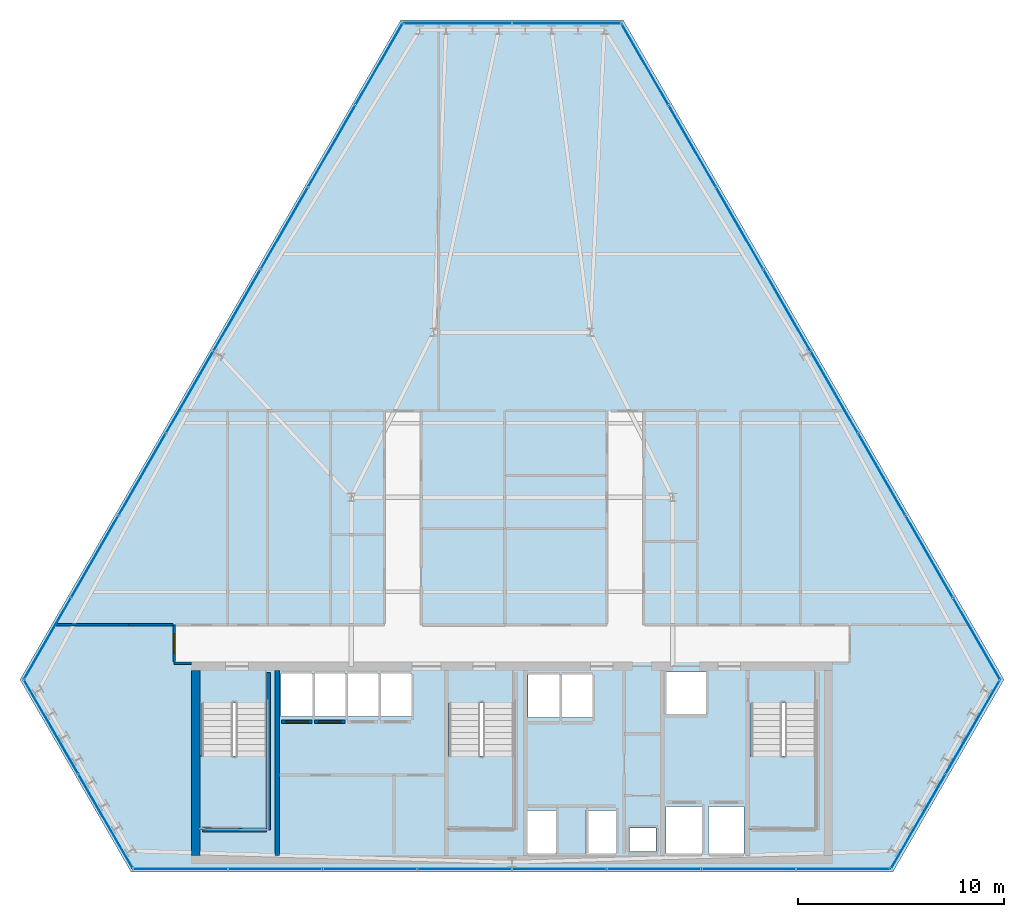
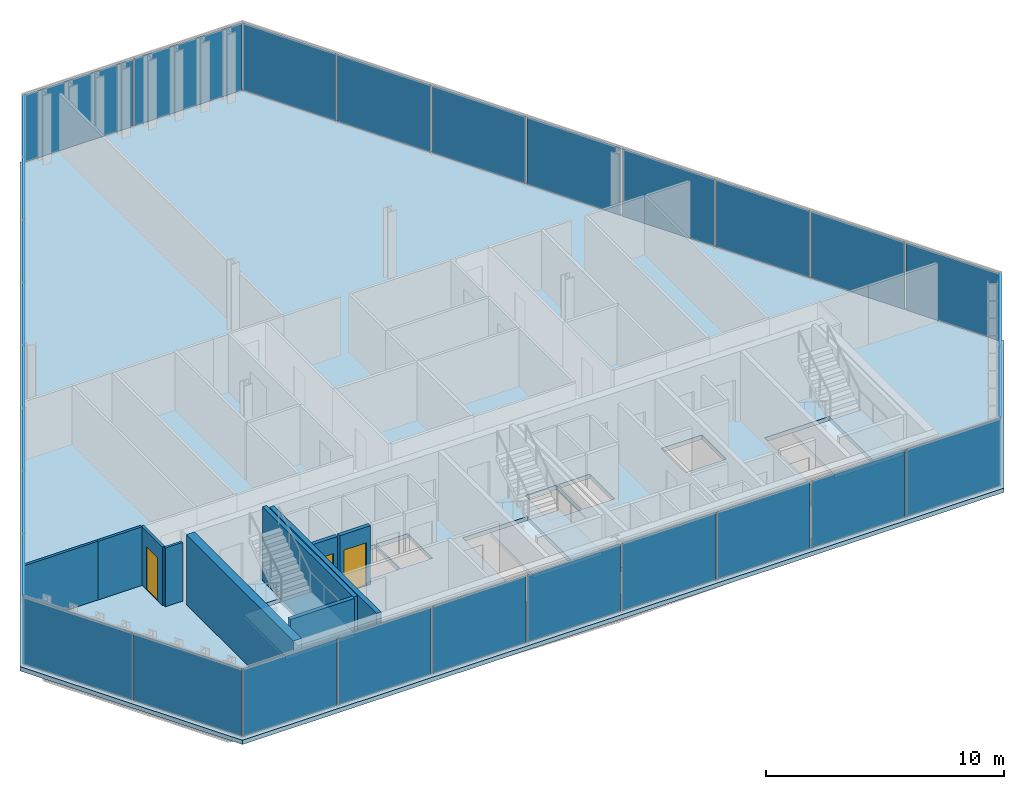
# One storey, part 26 of 33: 30 plates, 10 walls, 4 slabs, 3 doors, 3 openings, 9 elements without a shape of their own.
"""IFC4 building model written with IfcOpenShell, lengths in metres."""

from ifc_helpers import new_model, si_unit, direction, frame, frame_2d, origin, origin_2d, place, context, subcontext, project, spatial, polyline, rectangle, outline, extrude, material, layer, layer_set, type_object, element, fill, aggregate, save


model = new_model("IFC4")

# Units and contexts
model_context = context("Model", 3, precision=1e-05, world=origin(), true_north=direction((0.0, 1.0)))
body_context = subcontext(model_context, "Body", "Model", "MODEL_VIEW")
ifc_project = project(units=[si_unit("LENGTHUNIT", "METRE"), si_unit("AREAUNIT", "SQUARE_METRE"), si_unit("VOLUMEUNIT", "CUBIC_METRE"), si_unit("PLANEANGLEUNIT", "RADIAN"), si_unit("MASSUNIT", "GRAM", prefix="KILO")], contexts=[model_context])

# Site, building, storey
site_placement = place(None, origin())
site = spatial("IfcSite", under=ifc_project, at=site_placement, CompositionType="ELEMENT")
building_placement = place(site_placement, origin())
building = spatial("IfcBuilding", under=site, at=building_placement, Name="Ndaravel Arena Tower", CompositionType="ELEMENT")
storey_placement = place(building_placement, frame((0.0, 0.0, 165.0)))
storey = spatial("IfcBuildingStorey", under=building, at=storey_placement, Name="L39", CompositionType="ELEMENT", Elevation=165.0)

# Curtain wall, plate
ifc_material_1 = material(Name="Aluminium", Category="aluminium")
ifc_layer_1 = layer(ifc_material_1, 0.179931640625)
ifc_layer_set_1 = layer_set([ifc_layer_1], Name="Aluminium")
curtain_wall_type_1 = type_object("IfcCurtainWallType", Name="CW-SYS-01", PredefinedType="NOTDEFINED", material=ifc_layer_set_1)
curtain_wall_1_placement = place(storey_placement, origin())
curtain_wall_1 = element("IfcCurtainWall", 1, at=curtain_wall_1_placement, inside=storey, type_object=curtain_wall_type_1, Name="L39 Faceted Crystal Curtain Wall CW-L39-E02", PredefinedType="NOTDEFINED")
ifc_material_2 = material(Name="Glazing", Category="glass")
ifc_layer_2 = layer(ifc_material_2, 0.035888671875)
ifc_layer_set_2 = layer_set([ifc_layer_2], Name="Glazing")
plate_type_1 = type_object("IfcPlateType", Name="PLT-CW-OPVENT", PredefinedType="CURTAIN_PANEL", material=ifc_layer_set_2)
plate_1_placement = place(storey_placement, frame((64.369140625, 12.05126953125, 0.06005859375), z_axis=(0.0, 0.0, 1.0), x_axis=(0.5, 0.866025403784, 0.0)))
plate_1 = element("IfcPlate", 2, at=plate_1_placement, type_object=plate_type_1, Name="CW-L39-E02 Operable Vent Sash Panel 02", PredefinedType="CURTAIN_PANEL", context=body_context, shape_type="SweptSolid", body=[
    extrude(rectangle(XDim=5.224853515625, YDim=0.035888671875, at=origin_2d()), origin(), (0.0, 0.0, 1.0), 3.4599609375),
])

curtain_wall_2_placement = place(storey_placement, origin())
curtain_wall_2 = element("IfcCurtainWall", 3, at=curtain_wall_2_placement, inside=storey, type_object=curtain_wall_type_1, Name="L39 Faceted Crystal Curtain Wall CW-L39-E04", PredefinedType="NOTDEFINED")
plate_2_placement = place(storey_placement, frame((39.347412109375, 46.20166015625, 0.06005859375), z_axis=(0.0, 0.0, 1.0), x_axis=(-1.0, 0.0, 0.0)))
plate_2 = element("IfcPlate", 4, at=plate_2_placement, type_object=plate_type_1, Name="CW-L39-E04 Operable Vent Sash Panel 02", PredefinedType="CURTAIN_PANEL", context=body_context, shape_type="SweptSolid", body=[
    extrude(rectangle(XDim=5.224853515625, YDim=0.035888671875, at=origin_2d()), origin(), (0.0, 0.0, 1.0), 3.4599609375),
])

ifc_material_3 = material(Name="Aluminium", Category="aluminium")
ifc_layer_3 = layer(ifc_material_3, 0.179931640625)
ifc_layer_set_3 = layer_set([ifc_layer_3], Name="Aluminium")
curtain_wall_type_2 = type_object("IfcCurtainWallType", Name="CW-SYS-02", PredefinedType="NOTDEFINED", material=ifc_layer_set_3)
curtain_wall_3_placement = place(storey_placement, origin())
curtain_wall_3 = element("IfcCurtainWall", 5, at=curtain_wall_3_placement, inside=storey, type_object=curtain_wall_type_2, Name="L39 Faceted Crystal Curtain Wall CW-L39-E06", PredefinedType="NOTDEFINED")
plate_3_placement = place(storey_placement, frame((22.283203125, 7.45703125, 0.06005859375), z_axis=(0.0, 0.0, 1.0), x_axis=(0.5, -0.866025403784, 0.0)))
plate_3 = element("IfcPlate", 6, at=plate_3_placement, type_object=plate_type_1, Name="CW-L39-E06 Operable Vent Sash Panel 02", PredefinedType="CURTAIN_PANEL", context=body_context, shape_type="SweptSolid", body=[
    extrude(rectangle(XDim=5.224853515625, YDim=0.035888671875, at=origin_2d()), origin(), (0.0, 0.0, 1.0), 3.4599609375),
])

# Plate
ifc_material_4 = material(Name="Glazing", Category="glass")
ifc_layer_4 = layer(ifc_material_4, 0.031982421875)
ifc_layer_set_4 = layer_set([ifc_layer_4], Name="Glazing")
plate_type_2 = type_object("IfcPlateType", Name="PLT-GLZ-FRIT35", PredefinedType="CURTAIN_PANEL", material=ifc_layer_set_4)
plate_4_placement = place(storey_placement, frame((61.716796875, 7.45703125, 0.06005859375), z_axis=(0.0, 0.0, 1.0), x_axis=(0.5, 0.866025403784, 0.0)))
plate_4 = element("IfcPlate", 7, at=plate_4_placement, type_object=plate_type_2, Name="CW-L39-E02 Vision Glass Panel 01", PredefinedType="CURTAIN_PANEL", context=body_context, shape_type="SweptSolid", body=[
    extrude(rectangle(XDim=5.224853515625, YDim=0.035888671875, at=origin_2d()), origin(), (0.0, 0.0, 1.0), 3.4599609375),
])

aggregate(curtain_wall_1, [plate_4, plate_1])

plate_5_placement = place(storey_placement, frame((44.652587890625, 46.20166015625, 0.06005859375), z_axis=(0.0, 0.0, 1.0), x_axis=(-1.0, 0.0, 0.0)))
plate_5 = element("IfcPlate", 8, at=plate_5_placement, type_object=plate_type_2, Name="CW-L39-E04 Vision Glass Panel 01", PredefinedType="CURTAIN_PANEL", context=body_context, shape_type="SweptSolid", body=[
    extrude(rectangle(XDim=5.224853515625, YDim=0.035888671875, at=origin_2d()), origin(), (0.0, 0.0, 1.0), 3.4599609375),
])

aggregate(curtain_wall_2, [plate_5, plate_2])

ifc_material_5 = material(Name="Glazing", Category="glass")
ifc_layer_5 = layer(ifc_material_5, 0.035888671875)
ifc_layer_set_5 = layer_set([ifc_layer_5], Name="Glazing")
plate_type_3 = type_object("IfcPlateType", Name="PLT-GLZ-FRIT55", PredefinedType="CURTAIN_PANEL", material=ifc_layer_set_5)
plate_6_placement = place(storey_placement, frame((19.630859375, 12.05126953125, 0.06005859375), z_axis=(0.0, 0.0, 1.0), x_axis=(0.5, -0.866025403784, 0.0)))
plate_6 = element("IfcPlate", 9, at=plate_6_placement, type_object=plate_type_3, Name="CW-L39-E06 Vision Glass Panel 01", PredefinedType="CURTAIN_PANEL", context=body_context, shape_type="SweptSolid", body=[
    extrude(rectangle(XDim=5.224853515625, YDim=0.035888671875, at=origin_2d()), origin(), (0.0, 0.0, 1.0), 3.4599609375),
])

aggregate(curtain_wall_3, [plate_6, plate_3])

# Curtain wall, plates
ifc_material_6 = material(Name="Aluminium", Category="aluminium")
ifc_layer_6 = layer(ifc_material_6, 0.179931640625)
ifc_layer_set_6 = layer_set([ifc_layer_6], Name="Aluminium")
curtain_wall_type_3 = type_object("IfcCurtainWallType", Name="CW-SYS-03", PredefinedType="NOTDEFINED", material=ifc_layer_set_6)
curtain_wall_4_placement = place(storey_placement, origin())
curtain_wall_4 = element("IfcCurtainWall", 10, at=curtain_wall_4_placement, inside=storey, type_object=curtain_wall_type_3, Name="L39 Faceted Crystal Curtain Wall CW-L39-E01", PredefinedType="NOTDEFINED")
ifc_material_7 = material(Name="Glazing", Category="glass")
ifc_layer_7 = layer(ifc_material_7, 0.0400390625)
ifc_layer_set_7 = layer_set([ifc_layer_7], Name="Glazing")
plate_type_4 = type_object("IfcPlateType", Name="PLT-GLZ-LOWIRON", PredefinedType="CURTAIN_PANEL", material=ifc_layer_set_7)
plate_7_placement = place(storey_placement, frame((25.908203125, 5.159912109375, 0.06005859375), z_axis=(0.0, 0.0, 1.0), x_axis=(1.0, 0.0, 0.0)))
plate_7 = element("IfcPlate", 11, at=plate_7_placement, type_object=plate_type_4, Name="CW-L39-E01 Vision Glass Panel 01", PredefinedType="CURTAIN_PANEL", context=body_context, shape_type="SweptSolid", body=[
    extrude(rectangle(XDim=4.517578125, YDim=0.035888671875, at=origin_2d()), origin(), (0.0, 0.0, 1.0), 3.4599609375),
])
plate_8_placement = place(storey_placement, frame((30.505859375, 5.159912109375, 0.06005859375), z_axis=(0.0, 0.0, 1.0), x_axis=(1.0, 0.0, 0.0)))
plate_8 = element("IfcPlate", 12, at=plate_8_placement, type_object=plate_type_4, Name="CW-L39-E01 Vision Glass Panel 02", PredefinedType="CURTAIN_PANEL", context=body_context, shape_type="SweptSolid", body=[
    extrude(rectangle(XDim=4.517578125, YDim=0.035888671875, at=origin_2d()), origin(), (0.0, 0.0, 1.0), 3.4599609375),
])
plate_9_placement = place(storey_placement, frame((35.103515625, 5.159912109375, 0.06005859375), z_axis=(0.0, 0.0, 1.0), x_axis=(1.0, 0.0, 0.0)))
plate_9 = element("IfcPlate", 13, at=plate_9_placement, type_object=plate_type_4, Name="CW-L39-E01 Vision Glass Panel 03", PredefinedType="CURTAIN_PANEL", context=body_context, shape_type="SweptSolid", body=[
    extrude(rectangle(XDim=4.517578125, YDim=0.035888671875, at=origin_2d()), origin(), (0.0, 0.0, 1.0), 3.4599609375),
])
plate_10_placement = place(storey_placement, frame((39.701171875, 5.159912109375, 0.06005859375), z_axis=(0.0, 0.0, 1.0), x_axis=(1.0, 0.0, 0.0)))
plate_10 = element("IfcPlate", 14, at=plate_10_placement, type_object=plate_type_4, Name="CW-L39-E01 Vision Glass Panel 04", PredefinedType="CURTAIN_PANEL", context=body_context, shape_type="SweptSolid", body=[
    extrude(rectangle(XDim=4.517578125, YDim=0.035888671875, at=origin_2d()), origin(), (0.0, 0.0, 1.0), 3.4599609375),
])
plate_11_placement = place(storey_placement, frame((44.298828125, 5.159912109375, 0.06005859375), z_axis=(0.0, 0.0, 1.0), x_axis=(1.0, 0.0, 0.0)))
plate_11 = element("IfcPlate", 15, at=plate_11_placement, type_object=plate_type_4, Name="CW-L39-E01 Vision Glass Panel 05", PredefinedType="CURTAIN_PANEL", context=body_context, shape_type="SweptSolid", body=[
    extrude(rectangle(XDim=4.517578125, YDim=0.035888671875, at=origin_2d()), origin(), (0.0, 0.0, 1.0), 3.4599609375),
])
plate_12_placement = place(storey_placement, frame((48.896484375, 5.159912109375, 0.06005859375), z_axis=(0.0, 0.0, 1.0), x_axis=(1.0, 0.0, 0.0)))
plate_12 = element("IfcPlate", 16, at=plate_12_placement, type_object=plate_type_4, Name="CW-L39-E01 Vision Glass Panel 06", PredefinedType="CURTAIN_PANEL", context=body_context, shape_type="SweptSolid", body=[
    extrude(rectangle(XDim=4.517578125, YDim=0.035888671875, at=origin_2d()), origin(), (0.0, 0.0, 1.0), 3.4599609375),
])
plate_13_placement = place(storey_placement, frame((53.494140625, 5.159912109375, 0.06005859375), z_axis=(0.0, 0.0, 1.0), x_axis=(1.0, 0.0, 0.0)))
plate_13 = element("IfcPlate", 17, at=plate_13_placement, type_object=plate_type_4, Name="CW-L39-E01 Vision Glass Panel 07", PredefinedType="CURTAIN_PANEL", context=body_context, shape_type="SweptSolid", body=[
    extrude(rectangle(XDim=4.517578125, YDim=0.035888671875, at=origin_2d()), origin(), (0.0, 0.0, 1.0), 3.4599609375),
])
plate_14_placement = place(storey_placement, frame((58.091796875, 5.159912109375, 0.06005859375), z_axis=(0.0, 0.0, 1.0), x_axis=(1.0, 0.0, 0.0)))
plate_14 = element("IfcPlate", 18, at=plate_14_placement, type_object=plate_type_4, Name="CW-L39-E01 Vision Glass Panel 08", PredefinedType="CURTAIN_PANEL", context=body_context, shape_type="SweptSolid", body=[
    extrude(rectangle(XDim=4.517578125, YDim=0.035888671875, at=origin_2d()), origin(), (0.0, 0.0, 1.0), 3.4599609375),
])
aggregate(curtain_wall_4, [plate_7, plate_8, plate_9, plate_10, plate_11, plate_12, plate_13, plate_14])

curtain_wall_5_placement = place(storey_placement, origin())
curtain_wall_5 = element("IfcCurtainWall", 19, at=curtain_wall_5_placement, inside=storey, type_object=curtain_wall_type_3, Name="L39 Faceted Crystal Curtain Wall CW-L39-E03", PredefinedType="NOTDEFINED")
plate_15_placement = place(storey_placement, frame((64.5458984375, 16.339111328125, 0.06005859375), z_axis=(0.0, 0.0, 1.0), x_axis=(-0.5, 0.866025403784, 0.0)))
plate_15 = element("IfcPlate", 20, at=plate_15_placement, type_object=plate_type_4, Name="CW-L39-E03 Vision Glass Panel 01", PredefinedType="CURTAIN_PANEL", context=body_context, shape_type="SweptSolid", body=[
    extrude(rectangle(XDim=4.517578125, YDim=0.035888671875, at=origin_2d()), origin(), (0.0, 0.0, 1.0), 3.4599609375),
])
plate_16_placement = place(storey_placement, frame((62.247314453125, 20.32080078125, 0.06005859375), z_axis=(0.0, 0.0, 1.0), x_axis=(-0.5, 0.866025403784, 0.0)))
plate_16 = element("IfcPlate", 21, at=plate_16_placement, type_object=plate_type_4, Name="CW-L39-E03 Vision Glass Panel 02", PredefinedType="CURTAIN_PANEL", context=body_context, shape_type="SweptSolid", body=[
    extrude(rectangle(XDim=4.517578125, YDim=0.035888671875, at=origin_2d()), origin(), (0.0, 0.0, 1.0), 3.4599609375),
])
plate_17_placement = place(storey_placement, frame((59.948486328125, 24.302490234375, 0.06005859375), z_axis=(0.0, 0.0, 1.0), x_axis=(-0.5, 0.866025403784, 0.0)))
plate_17 = element("IfcPlate", 22, at=plate_17_placement, type_object=plate_type_4, Name="CW-L39-E03 Vision Glass Panel 03", PredefinedType="CURTAIN_PANEL", context=body_context, shape_type="SweptSolid", body=[
    extrude(rectangle(XDim=4.517578125, YDim=0.035888671875, at=origin_2d()), origin(), (0.0, 0.0, 1.0), 3.4599609375),
])
plate_18_placement = place(storey_placement, frame((57.649658203125, 28.2841796875, 0.06005859375), z_axis=(0.0, 0.0, 1.0), x_axis=(-0.5, 0.866025403784, 0.0)))
plate_18 = element("IfcPlate", 23, at=plate_18_placement, type_object=plate_type_4, Name="CW-L39-E03 Vision Glass Panel 04", PredefinedType="CURTAIN_PANEL", context=body_context, shape_type="SweptSolid", body=[
    extrude(rectangle(XDim=4.517578125, YDim=0.035888671875, at=origin_2d()), origin(), (0.0, 0.0, 1.0), 3.4599609375),
])
plate_19_placement = place(storey_placement, frame((55.3505859375, 32.265869140625, 0.06005859375), z_axis=(0.0, 0.0, 1.0), x_axis=(-0.5, 0.866025403784, 0.0)))
plate_19 = element("IfcPlate", 24, at=plate_19_placement, type_object=plate_type_4, Name="CW-L39-E03 Vision Glass Panel 05", PredefinedType="CURTAIN_PANEL", context=body_context, shape_type="SweptSolid", body=[
    extrude(rectangle(XDim=4.517578125, YDim=0.035888671875, at=origin_2d()), origin(), (0.0, 0.0, 1.0), 3.4599609375),
])
plate_20_placement = place(storey_placement, frame((53.052001953125, 36.24755859375, 0.06005859375), z_axis=(0.0, 0.0, 1.0), x_axis=(-0.5, 0.866025403784, 0.0)))
plate_20 = element("IfcPlate", 25, at=plate_20_placement, type_object=plate_type_4, Name="CW-L39-E03 Vision Glass Panel 06", PredefinedType="CURTAIN_PANEL", context=body_context, shape_type="SweptSolid", body=[
    extrude(rectangle(XDim=4.517578125, YDim=0.035888671875, at=origin_2d()), origin(), (0.0, 0.0, 1.0), 3.4599609375),
])
plate_21_placement = place(storey_placement, frame((50.753173828125, 40.229248046875, 0.06005859375), z_axis=(0.0, 0.0, 1.0), x_axis=(-0.5, 0.866025403784, 0.0)))
plate_21 = element("IfcPlate", 26, at=plate_21_placement, type_object=plate_type_4, Name="CW-L39-E03 Vision Glass Panel 07", PredefinedType="CURTAIN_PANEL", context=body_context, shape_type="SweptSolid", body=[
    extrude(rectangle(XDim=4.517578125, YDim=0.035888671875, at=origin_2d()), origin(), (0.0, 0.0, 1.0), 3.4599609375),
])
plate_22_placement = place(storey_placement, frame((48.454345703125, 44.2109375, 0.06005859375), z_axis=(0.0, 0.0, 1.0), x_axis=(-0.5, 0.866025403784, 0.0)))
plate_22 = element("IfcPlate", 27, at=plate_22_placement, type_object=plate_type_4, Name="CW-L39-E03 Vision Glass Panel 08", PredefinedType="CURTAIN_PANEL", context=body_context, shape_type="SweptSolid", body=[
    extrude(rectangle(XDim=4.517578125, YDim=0.035888671875, at=origin_2d()), origin(), (0.0, 0.0, 1.0), 3.4599609375),
])
aggregate(curtain_wall_5, [plate_15, plate_16, plate_17, plate_18, plate_19, plate_20, plate_21, plate_22])

curtain_wall_6_placement = place(storey_placement, origin())
curtain_wall_6 = element("IfcCurtainWall", 28, at=curtain_wall_6_placement, inside=storey, type_object=curtain_wall_type_3, Name="L39 Faceted Crystal Curtain Wall CW-L39-E05", PredefinedType="NOTDEFINED")
plate_23_placement = place(storey_placement, frame((35.545654296875, 44.2109375, 0.06005859375), z_axis=(0.0, 0.0, 1.0), x_axis=(-0.5, -0.866025403784, 0.0)))
plate_23 = element("IfcPlate", 29, at=plate_23_placement, type_object=plate_type_4, Name="CW-L39-E05 Vision Glass Panel 01", PredefinedType="CURTAIN_PANEL", context=body_context, shape_type="SweptSolid", body=[
    extrude(rectangle(XDim=4.517578125, YDim=0.035888671875, at=origin_2d()), origin(), (0.0, 0.0, 1.0), 3.4599609375),
])
plate_24_placement = place(storey_placement, frame((33.246826171875, 40.229248046875, 0.06005859375), z_axis=(0.0, 0.0, 1.0), x_axis=(-0.5, -0.866025403784, 0.0)))
plate_24 = element("IfcPlate", 30, at=plate_24_placement, type_object=plate_type_4, Name="CW-L39-E05 Vision Glass Panel 02", PredefinedType="CURTAIN_PANEL", context=body_context, shape_type="SweptSolid", body=[
    extrude(rectangle(XDim=4.517578125, YDim=0.035888671875, at=origin_2d()), origin(), (0.0, 0.0, 1.0), 3.4599609375),
])
plate_25_placement = place(storey_placement, frame((30.947998046875, 36.24755859375, 0.06005859375), z_axis=(0.0, 0.0, 1.0), x_axis=(-0.5, -0.866025403784, 0.0)))
plate_25 = element("IfcPlate", 31, at=plate_25_placement, type_object=plate_type_4, Name="CW-L39-E05 Vision Glass Panel 03", PredefinedType="CURTAIN_PANEL", context=body_context, shape_type="SweptSolid", body=[
    extrude(rectangle(XDim=4.517578125, YDim=0.035888671875, at=origin_2d()), origin(), (0.0, 0.0, 1.0), 3.4599609375),
])
plate_26_placement = place(storey_placement, frame((28.6494140625, 32.265869140625, 0.06005859375), z_axis=(0.0, 0.0, 1.0), x_axis=(-0.5, -0.866025403784, 0.0)))
plate_26 = element("IfcPlate", 32, at=plate_26_placement, type_object=plate_type_4, Name="CW-L39-E05 Vision Glass Panel 04", PredefinedType="CURTAIN_PANEL", context=body_context, shape_type="SweptSolid", body=[
    extrude(rectangle(XDim=4.517578125, YDim=0.035888671875, at=origin_2d()), origin(), (0.0, 0.0, 1.0), 3.4599609375),
])
plate_27_placement = place(storey_placement, frame((26.350341796875, 28.2841796875, 0.06005859375), z_axis=(0.0, 0.0, 1.0), x_axis=(-0.5, -0.866025403784, 0.0)))
plate_27 = element("IfcPlate", 33, at=plate_27_placement, type_object=plate_type_4, Name="CW-L39-E05 Vision Glass Panel 05", PredefinedType="CURTAIN_PANEL", context=body_context, shape_type="SweptSolid", body=[
    extrude(rectangle(XDim=4.517578125, YDim=0.035888671875, at=origin_2d()), origin(), (0.0, 0.0, 1.0), 3.4599609375),
])
plate_28_placement = place(storey_placement, frame((24.051513671875, 24.302490234375, 0.06005859375), z_axis=(0.0, 0.0, 1.0), x_axis=(-0.5, -0.866025403784, 0.0)))
plate_28 = element("IfcPlate", 34, at=plate_28_placement, type_object=plate_type_4, Name="CW-L39-E05 Vision Glass Panel 06", PredefinedType="CURTAIN_PANEL", context=body_context, shape_type="SweptSolid", body=[
    extrude(rectangle(XDim=4.517578125, YDim=0.035888671875, at=origin_2d()), origin(), (0.0, 0.0, 1.0), 3.4599609375),
])
plate_29_placement = place(storey_placement, frame((21.752685546875, 20.32080078125, 0.06005859375), z_axis=(0.0, 0.0, 1.0), x_axis=(-0.5, -0.866025403784, 0.0)))
plate_29 = element("IfcPlate", 35, at=plate_29_placement, type_object=plate_type_4, Name="CW-L39-E05 Vision Glass Panel 07", PredefinedType="CURTAIN_PANEL", context=body_context, shape_type="SweptSolid", body=[
    extrude(rectangle(XDim=4.517578125, YDim=0.035888671875, at=origin_2d()), origin(), (0.0, 0.0, 1.0), 3.4599609375),
])
plate_30_placement = place(storey_placement, frame((19.4541015625, 16.339111328125, 0.06005859375), z_axis=(0.0, 0.0, 1.0), x_axis=(-0.5, -0.866025403784, 0.0)))
plate_30 = element("IfcPlate", 36, at=plate_30_placement, type_object=plate_type_4, Name="CW-L39-E05 Vision Glass Panel 08", PredefinedType="CURTAIN_PANEL", context=body_context, shape_type="SweptSolid", body=[
    extrude(rectangle(XDim=4.517578125, YDim=0.035888671875, at=origin_2d()), origin(), (0.0, 0.0, 1.0), 3.4599609375),
])
aggregate(curtain_wall_6, [plate_23, plate_24, plate_25, plate_26, plate_27, plate_28, plate_29, plate_30])

# Stair, slab
ifc_material_8 = material(Name="Concrete C40/50", Category="concrete")
stair_type = type_object("IfcStairType", Name="STAIR-CORE-HT", PredefinedType="HALF_TURN_STAIR", material=ifc_material_8)
stair_1_placement = place(storey_placement, origin())
stair_1 = element("IfcStair", 37, at=stair_1_placement, inside=storey, type_object=stair_type, Name="L39 ST-1", PredefinedType="HALF_TURN_STAIR")
ifc_material_9 = material(Name="Concrete C40/50", Category="concrete")
ifc_layer_8 = layer(ifc_material_9, 0.199951171875)
ifc_layer_set_8 = layer_set([ifc_layer_8], Name="Concrete C40/50")
slab_type_1 = type_object("IfcSlabType", Name="SLAB-STAIR-LANDING", PredefinedType="LANDING", material=ifc_layer_set_8)
slab_1_placement = place(storey_placement, frame((0.0, 0.0, 1.699951171875)))
slab_1 = element("IfcSlab", 38, at=slab_1_placement, type_object=slab_type_1, Name="ST-1 landing 1", PredefinedType="LANDING", context=body_context, shape_type="SweptSolid", body=[
    extrude(outline(polyline([(26.81005859375, 10.6298828125), (26.81005859375, 7.070068359375), (30.169921875, 7.070068359375), (30.169921875, 10.6298828125), (26.81005859375, 10.6298828125)])), origin(), (0.0, 0.0, 1.0), 0.199951171875),
])
aggregate(stair_1, [slab_1])

stair_2_placement = place(storey_placement, origin())
stair_2 = element("IfcStair", 39, at=stair_2_placement, inside=storey, type_object=stair_type, Name="L39 ST-2", PredefinedType="HALF_TURN_STAIR")
slab_2_placement = place(storey_placement, frame((0.0, 0.0, 1.699951171875)))
slab_2 = element("IfcSlab", 40, at=slab_2_placement, type_object=slab_type_1, Name="ST-2 landing 1", PredefinedType="LANDING", context=body_context, shape_type="SweptSolid", body=[
    extrude(outline(polyline([(38.81005859375, 10.6298828125), (38.81005859375, 7.070068359375), (42.169921875, 7.070068359375), (42.169921875, 10.6298828125), (38.81005859375, 10.6298828125)])), origin(), (0.0, 0.0, 1.0), 0.199951171875),
])
aggregate(stair_2, [slab_2])

stair_3_placement = place(storey_placement, origin())
stair_3 = element("IfcStair", 41, at=stair_3_placement, inside=storey, type_object=stair_type, Name="L39 ST-3", PredefinedType="HALF_TURN_STAIR")
slab_3_placement = place(storey_placement, frame((0.0, 0.0, 1.699951171875)))
slab_3 = element("IfcSlab", 42, at=slab_3_placement, type_object=slab_type_1, Name="ST-3 landing 1", PredefinedType="LANDING", context=body_context, shape_type="SweptSolid", body=[
    extrude(outline(polyline([(53.4599609375, 10.6298828125), (53.4599609375, 7.070068359375), (56.820068359375, 7.070068359375), (56.820068359375, 10.6298828125), (53.4599609375, 10.6298828125)])), origin(), (0.0, 0.0, 1.0), 0.199951171875),
])
aggregate(stair_3, [slab_3])

# Slab
ifc_material_10 = material(Name="Concrete C40/50", Category="concrete")
ifc_layer_9 = layer(ifc_material_10, 0.219970703125)
ifc_layer_set_9 = layer_set([ifc_layer_9], Name="Concrete C40/50")
slab_type_2 = type_object("IfcSlabType", Name="SLAB-TWR-220", PredefinedType="FLOOR", material=ifc_layer_set_9)
slab_4_placement = place(storey_placement, frame((0.0, 0.0, -0.219970703125)))
element("IfcSlab", 43, at=slab_4_placement, inside=storey, type_object=slab_type_2, Name="L39 Structural Floor Slab", PredefinedType="FLOOR", context=body_context, shape_type="SweptSolid", body=[
    extrude(outline(polyline([(18.119873046875, 14.348388671875), (23.51708984375, 5.0), (60.48291015625, 5.0), (65.880126953125, 14.348388671875), (47.397216796875, 46.36181640625), (36.602783203125, 46.36181640625), (18.119873046875, 14.348388671875)]), holes=[polyline([(26.949951171875, 13.215087890625), (26.949951171875, 7.14990234375), (30.090087890625, 7.14990234375), (30.090087890625, 13.215087890625), (26.949951171875, 13.215087890625)]), polyline([(38.949951171875, 13.215087890625), (38.949951171875, 7.14990234375), (42.090087890625, 7.14990234375), (42.090087890625, 13.215087890625), (38.949951171875, 13.215087890625)]), polyline([(53.60009765625, 13.215087890625), (53.60009765625, 7.14990234375), (56.739990234375, 7.14990234375), (56.739990234375, 13.215087890625), (53.60009765625, 13.215087890625)]), polyline([(30.784912109375, 12.56005859375), (32.31494140625, 12.56005859375), (32.31494140625, 14.639892578125), (30.784912109375, 14.639892578125), (30.784912109375, 12.56005859375)]), polyline([(32.385009765625, 12.56005859375), (33.9150390625, 12.56005859375), (33.9150390625, 14.639892578125), (32.385009765625, 14.639892578125), (32.385009765625, 12.56005859375)]), polyline([(33.985107421875, 12.56005859375), (35.514892578125, 12.56005859375), (35.514892578125, 14.639892578125), (33.985107421875, 14.639892578125), (33.985107421875, 12.56005859375)]), polyline([(35.5849609375, 12.56005859375), (37.114990234375, 12.56005859375), (37.114990234375, 14.639892578125), (35.5849609375, 14.639892578125), (35.5849609375, 12.56005859375)]), polyline([(42.659912109375, 5.909912109375), (44.139892578125, 5.909912109375), (44.139892578125, 7.989990234375), (42.659912109375, 7.989990234375), (42.659912109375, 5.909912109375)]), polyline([(45.56005859375, 5.909912109375), (47.0400390625, 5.909912109375), (47.0400390625, 7.989990234375), (45.56005859375, 7.989990234375), (45.56005859375, 5.909912109375)]), polyline([(42.784912109375, 12.510009765625), (44.31494140625, 12.510009765625), (44.31494140625, 14.590087890625), (42.784912109375, 14.590087890625), (42.784912109375, 12.510009765625)]), polyline([(44.385009765625, 12.510009765625), (45.9150390625, 12.510009765625), (45.9150390625, 14.590087890625), (44.385009765625, 14.590087890625), (44.385009765625, 12.510009765625)]), polyline([(49.485107421875, 5.909912109375), (51.215087890625, 5.909912109375), (51.215087890625, 8.18994140625), (49.485107421875, 8.18994140625), (49.485107421875, 5.909912109375)]), polyline([(51.534912109375, 5.909912109375), (53.264892578125, 5.909912109375), (53.264892578125, 8.18994140625), (51.534912109375, 8.18994140625), (51.534912109375, 5.909912109375)]), polyline([(49.4599609375, 12.68505859375), (51.43994140625, 12.68505859375), (51.43994140625, 14.715087890625), (49.4599609375, 14.715087890625), (49.4599609375, 12.68505859375)]), polyline([(47.699951171875, 6.0), (49.0, 6.0), (49.0, 7.139892578125), (47.699951171875, 7.139892578125), (47.699951171875, 6.0)])]), origin(), (0.0, 0.0, 1.0), 0.219970703125),
])

# Walls
ifc_material_11 = material(Name="Concrete C50/60", Category="concrete")
ifc_layer_10 = layer(ifc_material_11, 0.219970703125)
ifc_layer_set_10 = layer_set([ifc_layer_10], Name="Concrete C50/60")
wall_type_1 = type_object("IfcWallType", Name="WALL-CORE-220", PredefinedType="SOLIDWALL", material=ifc_layer_set_10)
wall_1_placement = place(storey_placement, frame((30.60009765625, 5.800048828125, 0.0), z_axis=(0.0, 0.0, 1.0), x_axis=(0.0, 1.0, 0.0)))
element("IfcWall", 44, at=wall_1_placement, inside=storey, type_object=wall_type_1, Name="L39 Core Web Shear Wall 1", PredefinedType="SOLIDWALL", context=body_context, shape_type="SweptSolid", body=[
    extrude(rectangle(XDim=9.0, YDim=0.219970703125, at=frame_2d((4.5, 0.0))), origin(), (0.0, 0.0, 1.0), 3.580078125),
])
ifc_material_12 = material(Name="Concrete C50/60", Category="concrete")
ifc_layer_11 = layer(ifc_material_12, 0.39990234375)
ifc_layer_set_11 = layer_set([ifc_layer_11], Name="Concrete C50/60")
wall_type_2 = type_object("IfcWallType", Name="WALL-CORE-400", PredefinedType="SOLIDWALL", material=ifc_layer_set_11)
wall_2_placement = place(storey_placement, frame((26.64990234375, 5.800048828125, 0.0), z_axis=(0.0, 0.0, 1.0), x_axis=(0.0, 1.0, 0.0)))
element("IfcWall", 45, at=wall_2_placement, inside=storey, type_object=wall_type_2, Name="L39 Core West Shear Wall", PredefinedType="SOLIDWALL", context=body_context, shape_type="SweptSolid", body=[
    extrude(rectangle(XDim=9.0, YDim=0.39990234375, at=frame_2d((4.5, 0.0))), origin(), (0.0, 0.0, 1.0), 3.580078125),
])
ifc_material_13 = material(Name="Gypsum", Category="gypsum")
ifc_layer_12 = layer(ifc_material_13, 0.125)
ifc_layer_set_12 = layer_set([ifc_layer_12], Name="Gypsum")
wall_type_3 = type_object("IfcWallType", Name="WALL-PART-125", PredefinedType="PARTITIONING", material=ifc_layer_set_12)
wall_3_placement = place(storey_placement, frame((26.449951171875, 15.14990234375, 0.0), z_axis=(0.0, 0.0, 1.0), x_axis=(-1.0, 0.0, 0.0)))
element("IfcWall", 46, at=wall_3_placement, inside=storey, type_object=wall_type_3, Name="L39 Interior Partition 003", PredefinedType="PARTITIONING", context=body_context, shape_type="SweptSolid", body=[
    extrude(rectangle(XDim=0.849853515625, YDim=0.125, at=frame_2d((0.4248046875, 0.0))), origin(), (0.0, 0.0, 1.0), 3.010498046875),
])

# Wall, opening, door
wall_4_placement = place(storey_placement, frame((25.60009765625, 15.215087890625, 0.0), z_axis=(0.0, 0.0, 1.0), x_axis=(0.0, 1.0, 0.0)))
wall_4 = element("IfcWall", 47, at=wall_4_placement, inside=storey, type_object=wall_type_3, Name="L39 Interior Partition 004", PredefinedType="PARTITIONING", context=body_context, shape_type="SweptSolid", body=[
    extrude(rectangle(XDim=1.784912109375, YDim=0.125, at=frame_2d((0.892578125, 0.0))), origin(), (0.0, 0.0, 1.0), 3.010498046875),
])
opening_1_placement = place(wall_4_placement, frame((0.41748046875, 0.0, 0.0)))
opening_1 = element("IfcOpeningElement", 48, at=opening_1_placement, cuts=wall_4, Name="Opening ID-01", PredefinedType="OPENING", context=body_context, shape_type="SweptSolid", body=[
    extrude(rectangle(XDim=0.949951171875, YDim=2.199951171875, at=frame_2d((0.47509765625, 1.10009765625))), frame((0.0, 0.0625, 0.0), z_axis=(0.0, -1.0, 0.0), x_axis=(1.0, 0.0, 0.0)), (0.0, 0.0, 1.0), 0.125),
])
ifc_material_14 = material(Name="Timber", Category="wood")
door_type_1 = type_object("IfcDoorType", Name="DT-03-OFFICE-950", OperationType="SINGLE_SWING_LEFT", PredefinedType="DOOR", material=ifc_material_14)
door_1_placement = place(opening_1_placement, origin())
door_1 = element("IfcDoor", 49, at=door_1_placement, inside=storey, type_object=door_type_1, Name="L39 Executive Boardroom Door", OperationType="SINGLE_SWING_RIGHT", OverallHeight=2.199951171875, OverallWidth=0.949951171875, PredefinedType="DOOR", context=body_context, shape_type="SweptSolid", body=[
    extrude(rectangle(XDim=0.949951171875, YDim=2.199951171875, at=frame_2d((0.47509765625, 1.10009765625))), frame((0.0, 0.02490234375, 0.0), z_axis=(0.0, -1.0, 0.0), x_axis=(1.0, 0.0, 0.0)), (0.0, 0.0, 1.0), 0.050048828125),
])
fill(opening_1, door_1)

# Walls
wall_5_placement = place(storey_placement, frame((19.83544921875, 17.0, 0.0), z_axis=(0.0, 0.0, 1.0), x_axis=(1.0, 0.0, 0.0)))
element("IfcWall", 50, at=wall_5_placement, inside=storey, type_object=wall_type_3, Name="L39 Interior Partition 026", PredefinedType="PARTITIONING", context=body_context, shape_type="SweptSolid", body=[
    extrude(rectangle(XDim=3.564453125, YDim=0.125, at=frame_2d((1.7822265625, 0.0))), origin(), (0.0, 0.0, 1.0), 3.010498046875),
])
wall_6_placement = place(storey_placement, frame((23.39990234375, 17.0, 0.0), z_axis=(0.0, 0.0, 1.0), x_axis=(1.0, 0.0, 0.0)))
element("IfcWall", 51, at=wall_6_placement, inside=storey, type_object=wall_type_3, Name="L39 Interior Partition 027", PredefinedType="PARTITIONING", context=body_context, shape_type="SweptSolid", body=[
    extrude(rectangle(XDim=2.135009765625, YDim=0.125, at=frame_2d((1.0673828125, 0.0))), origin(), (0.0, 0.0, 1.0), 3.010498046875),
])
ifc_material_15 = material(Name="Concrete C40/50", Category="concrete")
ifc_layer_13 = layer(ifc_material_15, 0.199951171875)
ifc_layer_set_13 = layer_set([ifc_layer_13], Name="Concrete C40/50")
wall_type_4 = type_object("IfcWallType", Name="WALL-SHAFT-200", PredefinedType="SOLIDWALL", material=ifc_layer_set_13)
wall_7_placement = place(storey_placement, frame((30.18994140625, 14.699951171875, 0.0), z_axis=(0.0, 0.0, 1.0), x_axis=(0.0, -1.0, 0.0)))
element("IfcWall", 52, at=wall_7_placement, inside=storey, type_object=wall_type_4, Name="L39 ST-1 Structural Shaft Wall Right", PredefinedType="SOLIDWALL", context=body_context, shape_type="SweptSolid", body=[
    extrude(rectangle(XDim=7.64990234375, YDim=0.199951171875, at=frame_2d((3.824951171875, 0.0))), origin(), (0.0, 0.0, 1.0), 3.800048828125),
])
wall_8_placement = place(storey_placement, frame((26.969970703125, 7.050048828125, 0.0), z_axis=(0.0, 0.0, 1.0), x_axis=(1.0, 0.0, 0.0)))
element("IfcWall", 53, at=wall_8_placement, inside=storey, type_object=wall_type_4, Name="L39 ST-1 Structural Shaft Wall Far", PredefinedType="SOLIDWALL", context=body_context, shape_type="SweptSolid", body=[
    extrude(rectangle(XDim=3.114990234375, YDim=0.199951171875, at=frame_2d((1.5576171875, 0.0))), origin(), (0.0, 0.0, 1.0), 3.800048828125),
])

# Wall, opening, door
wall_9_placement = place(storey_placement, frame((30.804931640625, 12.300048828125, 0.0), z_axis=(0.0, 0.0, 1.0), x_axis=(1.0, 0.0, 0.0)))
wall_9 = element("IfcWall", 54, at=wall_9_placement, inside=storey, type_object=wall_type_4, Name="L39 PL-M1 Shaft Landing Wall", PredefinedType="SOLIDWALL", context=body_context, shape_type="SweptSolid", body=[
    extrude(rectangle(XDim=1.489990234375, YDim=0.179931640625, at=frame_2d((0.7451171875, 0.0))), origin(), (0.0, 0.0, 1.0), 3.010498046875),
])
opening_2_placement = place(wall_9_placement, frame((0.195068359375, 0.0, 0.0)))
opening_2 = element("IfcOpeningElement", 55, at=opening_2_placement, cuts=wall_9, Name="Opening LD-01", PredefinedType="OPENING", context=body_context, shape_type="SweptSolid", body=[
    extrude(rectangle(XDim=1.10009765625, YDim=2.199951171875, at=frame_2d((0.550048828125, 1.10009765625))), frame((0.0, 0.08984375, 0.0), z_axis=(0.0, -1.0, 0.0), x_axis=(1.0, 0.0, 0.0)), (0.0, 0.0, 1.0), 0.179931640625),
])
ifc_material_16 = material(Name="Steel S355", Category="steel")
door_type_2 = type_object("IfcDoorType", Name="DT-06-LIFT-1100", OperationType="SLIDING_TO_LEFT", PredefinedType="DOOR", material=ifc_material_16)
door_2_placement = place(opening_2_placement, origin())
door_2 = element("IfcDoor", 56, at=door_2_placement, inside=storey, type_object=door_type_2, Name="L39 Lift PL-M1 Sliding Landing Door", OperationType="SLIDING_TO_LEFT", OverallHeight=2.199951171875, OverallWidth=1.10009765625, PredefinedType="DOOR", context=body_context, shape_type="SweptSolid", body=[
    extrude(rectangle(XDim=1.10009765625, YDim=2.199951171875, at=frame_2d((0.550048828125, 1.10009765625))), frame((0.0, 0.02490234375, 0.0), z_axis=(0.0, -1.0, 0.0), x_axis=(1.0, 0.0, 0.0)), (0.0, 0.0, 1.0), 0.050048828125),
])
fill(opening_2, door_2)

wall_10_placement = place(storey_placement, frame((32.405029296875, 12.300048828125, 0.0), z_axis=(0.0, 0.0, 1.0), x_axis=(1.0, 0.0, 0.0)))
wall_10 = element("IfcWall", 57, at=wall_10_placement, inside=storey, type_object=wall_type_4, Name="L39 PL-M2 Shaft Landing Wall", PredefinedType="SOLIDWALL", context=body_context, shape_type="SweptSolid", body=[
    extrude(rectangle(XDim=1.489990234375, YDim=0.179931640625, at=frame_2d((0.7451171875, 0.0))), origin(), (0.0, 0.0, 1.0), 3.010498046875),
])
opening_3_placement = place(wall_10_placement, frame((0.195068359375, 0.0, 0.0)))
opening_3 = element("IfcOpeningElement", 58, at=opening_3_placement, cuts=wall_10, Name="Opening LD-01", PredefinedType="OPENING", context=body_context, shape_type="SweptSolid", body=[
    extrude(rectangle(XDim=1.10009765625, YDim=2.199951171875, at=frame_2d((0.550048828125, 1.10009765625))), frame((0.0, 0.08984375, 0.0), z_axis=(0.0, -1.0, 0.0), x_axis=(1.0, 0.0, 0.0)), (0.0, 0.0, 1.0), 0.179931640625),
])
door_3_placement = place(opening_3_placement, origin())
door_3 = element("IfcDoor", 59, at=door_3_placement, inside=storey, type_object=door_type_2, Name="L39 Lift PL-M2 Sliding Landing Door", OperationType="SLIDING_TO_LEFT", OverallHeight=2.199951171875, OverallWidth=1.10009765625, PredefinedType="DOOR", context=body_context, shape_type="SweptSolid", body=[
    extrude(rectangle(XDim=1.10009765625, YDim=2.199951171875, at=frame_2d((0.550048828125, 1.10009765625))), frame((0.0, 0.02490234375, 0.0), z_axis=(0.0, -1.0, 0.0), x_axis=(1.0, 0.0, 0.0)), (0.0, 0.0, 1.0), 0.050048828125),
])
fill(opening_3, door_3)

save(model, "model.ifc")
